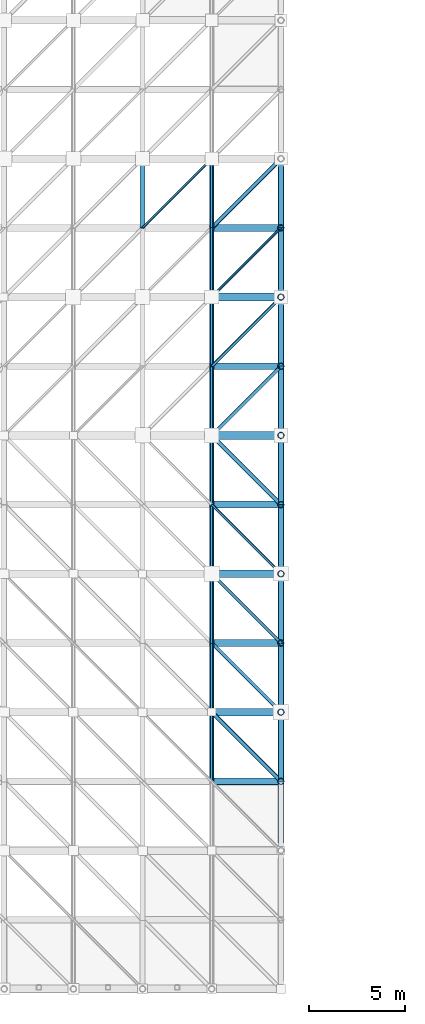
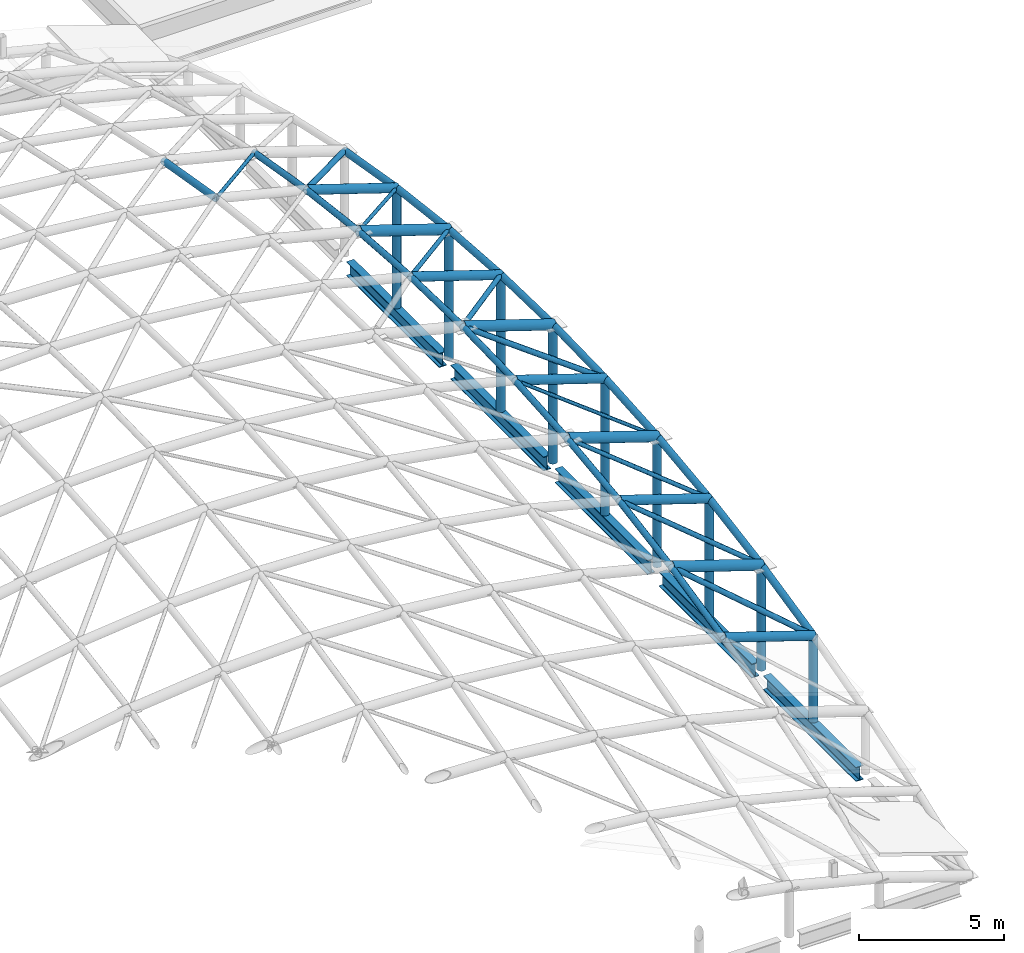
# One storey, part 8 of 40: 47 members, 5 beams.
"""IFC4 building model written with IfcOpenShell, lengths in metres."""

from ifc_helpers import new_model, si_unit, direction, frame, origin, origin_2d, place, context, subcontext, project, spatial, hollow_circle, i_section, extrude, material, material_profile, profile_set, type_object, element, save


model = new_model("IFC4")

# Units and contexts
model_context = context("Model", 3, precision=1e-05, world=origin(), true_north=direction((0.0, 1.0)))
body_context = subcontext(model_context, "Body", "Model", "MODEL_VIEW")
ifc_project = project(units=[si_unit("LENGTHUNIT", "METRE"), si_unit("AREAUNIT", "SQUARE_METRE"), si_unit("VOLUMEUNIT", "CUBIC_METRE"), si_unit("PLANEANGLEUNIT", "RADIAN"), si_unit("MASSUNIT", "GRAM", prefix="KILO")], contexts=[model_context])

# Site, building, storey
site_placement = place(None, origin())
site = spatial("IfcSite", under=ifc_project, at=site_placement, CompositionType="ELEMENT")
building_placement = place(site_placement, origin())
building = spatial("IfcBuilding", under=site, at=building_placement, Name="Kavelor Marine Aquarium", CompositionType="ELEMENT")
storey_placement = place(building_placement, frame((0.0, 0.0, 17.639892578125)))
storey = spatial("IfcBuildingStorey", under=building, at=storey_placement, Name="L04", CompositionType="ELEMENT", Elevation=17.639892578125)

# Beams
ifc_material_1 = material(Name="Steel S355", Category="steel")
ifc_material_profile_1 = material_profile(ifc_material_1, i_section(OverallWidth=0.300048828125, OverallDepth=0.60009765625, WebThickness=0.015380859375, FlangeThickness=0.030029296875, FilletRadius=0.027099609375, at=origin_2d()), Name="HEB 600")
ifc_profile_set_1 = profile_set([ifc_material_profile_1], Name="Steel S355")
beam_type = type_object("IfcBeamType", Name="BM-SB2", PredefinedType="BEAM", material=ifc_profile_set_1)
beam_placement = place(storey_placement, frame((39.199951171875, 32.0, -0.2998046875), z_axis=(0.0, 1.0, 0.0), x_axis=(-1.0, 0.0, 0.0)))
element("IfcBeam", 1, at=beam_placement, inside=storey, type_object=beam_type, Name="bm:y:L04:L04:05_04", PredefinedType="BEAM", context=body_context, shape_type="SweptSolid", body=[
    extrude(i_section(OverallWidth=0.300048828125, OverallDepth=0.60009765625, WebThickness=0.015380859375, FlangeThickness=0.030029296875, FilletRadius=0.027099609375, at=origin_2d()), origin(), (0.0, 0.0, 1.0), 6.39990234375),
])
for number, where, z_axis, x_axis, name in (
    (2, (39.199951171875, 39.199951171875, -0.2998046875), (0.0, 1.0, 0.0), (-1.0, 0.0, 0.0), "bm:y:L04:L04:05_05"),
    (3, (39.199951171875, 46.39990234375, -0.2998046875), (0.0, 1.0, 0.0), (-1.0, 0.0, 0.0), "bm:y:L04:L04:05_06"),
):
    element("IfcBeam", number, at=place(storey_placement, frame(where, z_axis=z_axis, x_axis=x_axis)), inside=storey, type_object=beam_type, Name=name, PredefinedType="BEAM", context=body_context, shape_type="SweptSolid", body=[
        extrude(i_section(OverallWidth=0.300048828125, OverallDepth=0.60009765625, WebThickness=0.015380859375, FlangeThickness=0.030029296875, FilletRadius=0.027099609375, at=origin_2d()), origin(), (0.0, 0.0, 1.0), 6.400146484375),
    ])
for number, where, z_axis, x_axis, name in (
    (4, (39.199951171875, 53.60009765625, -0.2998046875), (0.0, 1.0, 0.0), (-1.0, 0.0, 0.0), "bm:y:L04:L04:05_07"),
    (5, (39.199951171875, 60.800048828125, -0.2998046875), (0.0, 1.0, 0.0), (-1.0, 0.0, 0.0), "bm:y:L04:L04:05_08"),
):
    element("IfcBeam", number, at=place(storey_placement, frame(where, z_axis=z_axis, x_axis=x_axis)), inside=storey, type_object=beam_type, Name=name, PredefinedType="BEAM", context=body_context, shape_type="SweptSolid", body=[
        extrude(i_section(OverallWidth=0.300048828125, OverallDepth=0.60009765625, WebThickness=0.015380859375, FlangeThickness=0.030029296875, FilletRadius=0.027099609375, at=origin_2d()), origin(), (0.0, 0.0, 1.0), 6.39990234375),
    ])

# Members
ifc_material_2 = material(Name="Steel S355", Category="steel")
ifc_material_profile_2 = material_profile(ifc_material_2, hollow_circle(Radius=0.109619140625, WallThickness=0.0087890625, at=origin_2d()), Name="CHS 219.1x8.8")
ifc_profile_set_2 = profile_set([ifc_material_profile_2], Name="Steel S355")
member_type_1 = type_object("IfcMemberType", Name="GS-BR1", PredefinedType="BRACE", material=ifc_profile_set_2)
member_1_placement = place(storey_placement, frame((39.199951171875, 35.199951171875, 3.58056640625), z_axis=(-0.658893531475, 0.658938217371, 0.362849472742), x_axis=(-0.707130757816, -0.707082803744, 0.0)))
element("IfcMember", 6, at=member_1_placement, inside=storey, type_object=member_type_1, Name="gs:diag:09_03", PredefinedType="BRACE", context=body_context, shape_type="SweptSolid", body=[
    extrude(hollow_circle(Radius=0.109619140625, WallThickness=0.0087890625, at=origin_2d()), origin(), (0.0, 0.0, 1.0), 5.46337890625),
])
member_2_placement = place(storey_placement, frame((39.199951171875, 49.60009765625, 5.698486328125), z_axis=(-0.686142307175, 0.686142307175, 0.241697059577), x_axis=(-0.707106781187, -0.707106781187, 0.0)))
element("IfcMember", 7, at=member_2_placement, inside=storey, type_object=member_type_1, Name="gs:diag:09_07", PredefinedType="BRACE", context=body_context, shape_type="SweptSolid", body=[
    extrude(hollow_circle(Radius=0.109619140625, WallThickness=0.0087890625, at=origin_2d()), origin(), (0.0, 0.0, 1.0), 5.24658203125),
])
member_3_placement = place(storey_placement, frame((35.60009765625, 64.0, 6.180419921875), z_axis=(0.66670181387, 0.666747029321, -0.333102221959), x_axis=(-0.707130757816, 0.707082803744, 0.0)))
element("IfcMember", 8, at=member_3_placement, inside=storey, type_object=member_type_1, Name="gs:diag:09_11", PredefinedType="BRACE", context=body_context, shape_type="SweptSolid", body=[
    extrude(hollow_circle(Radius=0.109619140625, WallThickness=0.0087890625, at=origin_2d()), origin(), (0.0, 0.0, 1.0), 5.3994140625),
])
ifc_material_3 = material(Name="Steel S355", Category="steel")
ifc_material_profile_3 = material_profile(ifc_material_3, hollow_circle(Radius=0.096923828125, WallThickness=0.008056640625, at=origin_2d()), Name="CHS 193.7x8.0")
ifc_profile_set_3 = profile_set([ifc_material_profile_3], Name="Steel S355")
member_type_2 = type_object("IfcMemberType", Name="GS-BR2", PredefinedType="BRACE", material=ifc_profile_set_3)
member_4_placement = place(storey_placement, frame((39.199951171875, 38.800048828125, 4.3818359375), z_axis=(-0.666721913335, 0.666721913335, 0.333112264194), x_axis=(-0.707106781187, -0.707106781187, 0.0)))
element("IfcMember", 9, at=member_4_placement, inside=storey, type_object=member_type_2, Name="gs:diag:09_04", PredefinedType="BRACE", context=body_context, shape_type="SweptSolid", body=[
    extrude(hollow_circle(Radius=0.096923828125, WallThickness=0.008056640625, at=origin_2d()), origin(), (0.0, 0.0, 1.0), 5.3994140625),
])
member_5_placement = place(storey_placement, frame((35.60009765625, 53.199951171875, 6.966552734375), z_axis=(0.68612039973, 0.68616693214, -0.24168934257), x_axis=(-0.707130757816, 0.707082803744, 0.0)))
element("IfcMember", 10, at=member_5_placement, inside=storey, type_object=member_type_2, Name="gs:diag:09_08", PredefinedType="BRACE", context=body_context, shape_type="SweptSolid", body=[
    extrude(hollow_circle(Radius=0.096923828125, WallThickness=0.008056640625, at=origin_2d()), origin(), (0.0, 0.0, 1.0), 5.24658203125),
])
ifc_material_4 = material(Name="Steel S355", Category="steel")
ifc_material_profile_4 = material_profile(ifc_material_4, hollow_circle(Radius=0.084228515625, WallThickness=0.007080078125, at=origin_2d()), Name="CHS 168.3x7.1")
ifc_profile_set_4 = profile_set([ifc_material_profile_4], Name="Steel S355")
member_type_3 = type_object("IfcMemberType", Name="GS-BR3", PredefinedType="BRACE", material=ifc_profile_set_4)
member_6_placement = place(storey_placement, frame((39.199951171875, 42.39990234375, 4.999267578125), z_axis=(-0.673836040687, 0.673881739978, 0.303031996324), x_axis=(-0.707130757816, -0.707082803744, 0.0)))
element("IfcMember", 11, at=member_6_placement, inside=storey, type_object=member_type_3, Name="gs:diag:09_05", PredefinedType="BRACE", context=body_context, shape_type="SweptSolid", body=[
    extrude(hollow_circle(Radius=0.084228515625, WallThickness=0.007080078125, at=origin_2d()), origin(), (0.0, 0.0, 1.0), 5.34228515625),
])
member_7_placement = place(storey_placement, frame((35.60009765625, 56.800048828125, 6.879638671875), z_axis=(0.68031974942, 0.68031974942, -0.272635428913), x_axis=(-0.707106781187, 0.707106781187, 0.0)))
element("IfcMember", 12, at=member_7_placement, inside=storey, type_object=member_type_3, Name="gs:diag:09_09", PredefinedType="BRACE", context=body_context, shape_type="SweptSolid", body=[
    extrude(hollow_circle(Radius=0.084228515625, WallThickness=0.007080078125, at=origin_2d()), origin(), (0.0, 0.0, 1.0), 5.29150390625),
])
ifc_material_5 = material(Name="Steel S355", Category="steel")
ifc_material_profile_5 = material_profile(ifc_material_5, hollow_circle(Radius=0.06982421875, WallThickness=0.00634765625, at=origin_2d()), Name="CHS 139.7x6.3")
ifc_profile_set_5 = profile_set([ifc_material_profile_5], Name="Steel S355")
member_type_4 = type_object("IfcMemberType", Name="GS-BR4", PredefinedType="BRACE", material=ifc_profile_set_5)
member_8_placement = place(storey_placement, frame((32.0, 64.0, 7.080078125), z_axis=(0.677661700075, 0.677661700075, -0.285568276432), x_axis=(-0.707106781187, 0.707106781187, 0.0)))
element("IfcMember", 13, at=member_8_placement, inside=storey, type_object=member_type_4, Name="gs:diag:08_11", PredefinedType="BRACE", context=body_context, shape_type="SweptSolid", body=[
    extrude(hollow_circle(Radius=0.06982421875, WallThickness=0.00634765625, at=origin_2d()), origin(), (0.0, 0.0, 1.0), 5.3125),
])
member_9_placement = place(storey_placement, frame((39.199951171875, 46.0, 5.43701171875), z_axis=(-0.680298394953, 0.680344532518, 0.272626871195), x_axis=(-0.707130757816, -0.707082803744, 0.0)))
element("IfcMember", 14, at=member_9_placement, inside=storey, type_object=member_type_4, Name="gs:diag:09_06", PredefinedType="BRACE", context=body_context, shape_type="SweptSolid", body=[
    extrude(hollow_circle(Radius=0.06982421875, WallThickness=0.00634765625, at=origin_2d()), origin(), (0.0, 0.0, 1.0), 5.29150390625),
])
member_10_placement = place(storey_placement, frame((35.60009765625, 60.39990234375, 6.6181640625), z_axis=(0.673836040687, 0.673881739978, -0.303031996324), x_axis=(-0.707130757816, 0.707082803744, 0.0)))
element("IfcMember", 15, at=member_10_placement, inside=storey, type_object=member_type_4, Name="gs:diag:09_10", PredefinedType="BRACE", context=body_context, shape_type="SweptSolid", body=[
    extrude(hollow_circle(Radius=0.06982421875, WallThickness=0.00634765625, at=origin_2d()), origin(), (0.0, 0.0, 1.0), 5.34228515625),
])
ifc_material_6 = material(Name="Steel S355", Category="steel")
ifc_material_profile_6 = material_profile(ifc_material_6, hollow_circle(Radius=0.203125, WallThickness=0.01611328125, at=origin_2d()), Name="CHS 406.4x16.0")
ifc_profile_set_6 = profile_set([ifc_material_profile_6], Name="Steel S355")
member_type_5 = type_object("IfcMemberType", Name="GS-CH1", PredefinedType="CHORD", material=ifc_profile_set_6)
for number, where, z_axis, x_axis, name in (
    (16, (35.60009765625, 38.800048828125, 5.56298828125), (0.950161341447, 0.0, -0.311758600876), (0.0, 1.0, 0.0), "gs:arch:09_04"),
    (17, (35.60009765625, 46.0, 6.6181640625), (0.950161341447, 0.0, -0.311758600876), (0.0, 1.0, 0.0), "gs:arch:09_06"),
    (18, (35.60009765625, 53.199951171875, 6.966552734375), (0.950161341447, 0.0, -0.311758600876), (0.0, 1.0, 0.0), "gs:arch:09_08"),
    (19, (35.60009765625, 60.39990234375, 6.6181640625), (0.950161341447, 0.0, -0.311758600876), (0.0, 1.0, 0.0), "gs:arch:09_10"),
):
    element("IfcMember", number, at=place(storey_placement, frame(where, z_axis=z_axis, x_axis=x_axis)), inside=storey, type_object=member_type_5, Name=name, PredefinedType="CHORD", context=body_context, shape_type="SweptSolid", body=[
        extrude(hollow_circle(Radius=0.203125, WallThickness=0.01611328125, at=origin_2d()), origin(), (0.0, 0.0, 1.0), 3.78857421875),
    ])
ifc_material_7 = material(Name="Steel S355", Category="steel")
ifc_material_profile_7 = material_profile(ifc_material_7, hollow_circle(Radius=0.177734375, WallThickness=0.01416015625, at=origin_2d()), Name="CHS 355.6x14.2")
ifc_profile_set_7 = profile_set([ifc_material_profile_7], Name="Steel S355")
member_type_6 = type_object("IfcMemberType", Name="GS-CH2", PredefinedType="CHORD", material=ifc_profile_set_7)
for number, where, z_axis, x_axis, name in (
    (20, (35.60009765625, 35.199951171875, 4.76171875), (0.950161341447, 0.0, -0.311758600876), (0.0, 1.0, 0.0), "gs:arch:09_03"),
    (21, (35.60009765625, 42.39990234375, 6.180419921875), (0.950161341447, 0.0, -0.311758600876), (0.0, 1.0, 0.0), "gs:arch:09_05"),
    (22, (35.60009765625, 49.60009765625, 6.879638671875), (0.950161341447, 0.0, -0.311758600876), (0.0, 1.0, 0.0), "gs:arch:09_07"),
    (23, (35.60009765625, 56.800048828125, 6.879638671875), (0.950161341447, 0.0, -0.311758600876), (0.0, 1.0, 0.0), "gs:arch:09_09"),
    (24, (35.60009765625, 64.0, 6.180419921875), (0.950161341447, 0.0, -0.311758600876), (0.0, 1.0, 0.0), "gs:arch:09_11"),
):
    element("IfcMember", number, at=place(storey_placement, frame(where, z_axis=z_axis, x_axis=x_axis)), inside=storey, type_object=member_type_6, Name=name, PredefinedType="CHORD", context=body_context, shape_type="SweptSolid", body=[
        extrude(hollow_circle(Radius=0.177734375, WallThickness=0.01416015625, at=origin_2d()), origin(), (0.0, 0.0, 1.0), 3.78857421875),
    ])
ifc_material_8 = material(Name="Steel S355", Category="steel")
ifc_material_profile_8 = material_profile(ifc_material_8, hollow_circle(Radius=0.161865234375, WallThickness=0.012451171875, at=origin_2d()), Name="CHS 323.9x12.5")
ifc_profile_set_8 = profile_set([ifc_material_profile_8], Name="Steel S355")
member_type_7 = type_object("IfcMemberType", Name="GS-CH3", PredefinedType="CHORD", material=ifc_profile_set_8)
member_11_placement = place(storey_placement, frame((39.199951171875, 35.199951171875, 0.0), z_axis=(0.0, 0.0, 1.0), x_axis=(1.0, 0.0, 0.0)))
element("IfcMember", 25, at=member_11_placement, inside=storey, type_object=member_type_7, Name="gs:post:x:10_03", PredefinedType="CHORD", context=body_context, shape_type="SweptSolid", body=[
    extrude(hollow_circle(Radius=0.161865234375, WallThickness=0.012451171875, at=origin_2d()), origin(), (0.0, 0.0, 1.0), 3.58056640625),
])
member_12_placement = place(storey_placement, frame((39.199951171875, 38.800048828125, 0.0), z_axis=(0.0, 0.0, 1.0), x_axis=(1.0, 0.0, 0.0)))
element("IfcMember", 26, at=member_12_placement, inside=storey, type_object=member_type_7, Name="gs:post:x:10_04", PredefinedType="CHORD", context=body_context, shape_type="SweptSolid", body=[
    extrude(hollow_circle(Radius=0.161865234375, WallThickness=0.012451171875, at=origin_2d()), origin(), (0.0, 0.0, 1.0), 4.3818359375),
])
member_13_placement = place(storey_placement, frame((39.199951171875, 42.39990234375, 0.0), z_axis=(0.0, 0.0, 1.0), x_axis=(1.0, 0.0, 0.0)))
element("IfcMember", 27, at=member_13_placement, inside=storey, type_object=member_type_7, Name="gs:post:x:10_05", PredefinedType="CHORD", context=body_context, shape_type="SweptSolid", body=[
    extrude(hollow_circle(Radius=0.161865234375, WallThickness=0.012451171875, at=origin_2d()), origin(), (0.0, 0.0, 1.0), 4.999267578125),
])
member_14_placement = place(storey_placement, frame((39.199951171875, 46.0, 0.0), z_axis=(0.0, 0.0, 1.0), x_axis=(1.0, 0.0, 0.0)))
element("IfcMember", 28, at=member_14_placement, inside=storey, type_object=member_type_7, Name="gs:post:x:10_06", PredefinedType="CHORD", context=body_context, shape_type="SweptSolid", body=[
    extrude(hollow_circle(Radius=0.161865234375, WallThickness=0.012451171875, at=origin_2d()), origin(), (0.0, 0.0, 1.0), 5.43701171875),
])
member_15_placement = place(storey_placement, frame((39.199951171875, 49.60009765625, 0.0), z_axis=(0.0, 0.0, 1.0), x_axis=(1.0, 0.0, 0.0)))
element("IfcMember", 29, at=member_15_placement, inside=storey, type_object=member_type_7, Name="gs:post:x:10_07", PredefinedType="CHORD", context=body_context, shape_type="SweptSolid", body=[
    extrude(hollow_circle(Radius=0.161865234375, WallThickness=0.012451171875, at=origin_2d()), origin(), (0.0, 0.0, 1.0), 5.698486328125),
])
member_16_placement = place(storey_placement, frame((39.199951171875, 53.199951171875, 0.0), z_axis=(0.0, 0.0, 1.0), x_axis=(1.0, 0.0, 0.0)))
element("IfcMember", 30, at=member_16_placement, inside=storey, type_object=member_type_7, Name="gs:post:x:10_08", PredefinedType="CHORD", context=body_context, shape_type="SweptSolid", body=[
    extrude(hollow_circle(Radius=0.161865234375, WallThickness=0.012451171875, at=origin_2d()), origin(), (0.0, 0.0, 1.0), 5.785400390625),
])
member_17_placement = place(storey_placement, frame((39.199951171875, 56.800048828125, 0.0), z_axis=(0.0, 0.0, 1.0), x_axis=(1.0, 0.0, 0.0)))
element("IfcMember", 31, at=member_17_placement, inside=storey, type_object=member_type_7, Name="gs:post:x:10_09", PredefinedType="CHORD", context=body_context, shape_type="SweptSolid", body=[
    extrude(hollow_circle(Radius=0.161865234375, WallThickness=0.012451171875, at=origin_2d()), origin(), (0.0, 0.0, 1.0), 5.698486328125),
])
member_18_placement = place(storey_placement, frame((39.199951171875, 60.39990234375, 0.0), z_axis=(0.0, 0.0, 1.0), x_axis=(1.0, 0.0, 0.0)))
element("IfcMember", 32, at=member_18_placement, inside=storey, type_object=member_type_7, Name="gs:post:x:10_10", PredefinedType="CHORD", context=body_context, shape_type="SweptSolid", body=[
    extrude(hollow_circle(Radius=0.161865234375, WallThickness=0.012451171875, at=origin_2d()), origin(), (0.0, 0.0, 1.0), 5.43701171875),
])
member_19_placement = place(storey_placement, frame((39.199951171875, 64.0, 0.0), z_axis=(0.0, 0.0, 1.0), x_axis=(1.0, 0.0, 0.0)))
element("IfcMember", 33, at=member_19_placement, inside=storey, type_object=member_type_7, Name="gs:post:x:10_11", PredefinedType="CHORD", context=body_context, shape_type="SweptSolid", body=[
    extrude(hollow_circle(Radius=0.161865234375, WallThickness=0.012451171875, at=origin_2d()), origin(), (0.0, 0.0, 1.0), 4.999267578125),
])
ifc_material_9 = material(Name="Steel S355", Category="steel")
ifc_material_profile_9 = material_profile(ifc_material_9, hollow_circle(Radius=0.136474609375, WallThickness=0.010009765625, at=origin_2d()), Name="CHS 273.0x10.0")
ifc_profile_set_9 = profile_set([ifc_material_profile_9], Name="Steel S355")
member_type_8 = type_object("IfcMemberType", Name="GS-CH4", PredefinedType="CHORD", material=ifc_profile_set_9)
member_20_placement = place(storey_placement, frame((32.0, 64.0, 7.080078125), z_axis=(0.0, 0.985620982654, -0.168971235871), x_axis=(-1.0, 0.0, 0.0)))
element("IfcMember", 34, at=member_20_placement, inside=storey, type_object=member_type_8, Name="gs:long:08_11", PredefinedType="CHORD", context=body_context, shape_type="SweptSolid", body=[
    extrude(hollow_circle(Radius=0.136474609375, WallThickness=0.010009765625, at=origin_2d()), origin(), (0.0, 0.0, 1.0), 3.652587890625),
])
member_21_placement = place(storey_placement, frame((39.199951171875, 35.199951171875, 3.58056640625), z_axis=(0.0, 0.976115360304, 0.21725285586), x_axis=(-1.0, 0.0, 0.0)))
element("IfcMember", 35, at=member_21_placement, inside=storey, type_object=member_type_8, Name="gs:long:10_03", PredefinedType="CHORD", context=body_context, shape_type="SweptSolid", body=[
    extrude(hollow_circle(Radius=0.136474609375, WallThickness=0.010009765625, at=origin_2d()), origin(), (0.0, 0.0, 1.0), 3.688232421875),
])
member_22_placement = place(storey_placement, frame((39.199951171875, 38.800048828125, 4.3818359375), z_axis=(0.0, 0.985607939021, 0.169047302664), x_axis=(-1.0, 0.0, 0.0)))
element("IfcMember", 36, at=member_22_placement, inside=storey, type_object=member_type_8, Name="gs:long:10_04", PredefinedType="CHORD", context=body_context, shape_type="SweptSolid", body=[
    extrude(hollow_circle(Radius=0.136474609375, WallThickness=0.010009765625, at=origin_2d()), origin(), (0.0, 0.0, 1.0), 3.65234375),
])
member_23_placement = place(storey_placement, frame((39.199951171875, 42.39990234375, 4.999267578125), z_axis=(0.0, 0.992688629833, 0.120703289929), x_axis=(-1.0, 0.0, 0.0)))
element("IfcMember", 37, at=member_23_placement, inside=storey, type_object=member_type_8, Name="gs:long:10_05", PredefinedType="CHORD", context=body_context, shape_type="SweptSolid", body=[
    extrude(hollow_circle(Radius=0.136474609375, WallThickness=0.010009765625, at=origin_2d()), origin(), (0.0, 0.0, 1.0), 3.626708984375),
])
member_24_placement = place(storey_placement, frame((39.199951171875, 46.0, 5.43701171875), z_axis=(0.0, 0.997372840636, 0.072439055494), x_axis=(-1.0, 0.0, 0.0)))
element("IfcMember", 38, at=member_24_placement, inside=storey, type_object=member_type_8, Name="gs:long:10_06", PredefinedType="CHORD", context=body_context, shape_type="SweptSolid", body=[
    extrude(hollow_circle(Radius=0.136474609375, WallThickness=0.010009765625, at=origin_2d()), origin(), (0.0, 0.0, 1.0), 3.609619140625),
])
member_25_placement = place(storey_placement, frame((39.199951171875, 49.60009765625, 5.698486328125), z_axis=(0.0, 0.999708666365, 0.024136743657), x_axis=(-1.0, 0.0, 0.0)))
element("IfcMember", 39, at=member_25_placement, inside=storey, type_object=member_type_8, Name="gs:long:10_07", PredefinedType="CHORD", context=body_context, shape_type="SweptSolid", body=[
    extrude(hollow_circle(Radius=0.136474609375, WallThickness=0.010009765625, at=origin_2d()), origin(), (0.0, 0.0, 1.0), 3.600830078125),
])
member_26_placement = place(storey_placement, frame((39.199951171875, 53.199951171875, 5.785400390625), z_axis=(0.0, 0.99970870586, -0.024135107777), x_axis=(-1.0, 0.0, 0.0)))
element("IfcMember", 40, at=member_26_placement, inside=storey, type_object=member_type_8, Name="gs:long:10_08", PredefinedType="CHORD", context=body_context, shape_type="SweptSolid", body=[
    extrude(hollow_circle(Radius=0.136474609375, WallThickness=0.010009765625, at=origin_2d()), origin(), (0.0, 0.0, 1.0), 3.60107421875),
])
member_27_placement = place(storey_placement, frame((39.199951171875, 56.800048828125, 5.698486328125), z_axis=(0.0, 0.997372485682, -0.0724439425), x_axis=(-1.0, 0.0, 0.0)))
element("IfcMember", 41, at=member_27_placement, inside=storey, type_object=member_type_8, Name="gs:long:10_09", PredefinedType="CHORD", context=body_context, shape_type="SweptSolid", body=[
    extrude(hollow_circle(Radius=0.136474609375, WallThickness=0.010009765625, at=origin_2d()), origin(), (0.0, 0.0, 1.0), 3.609375),
])
member_28_placement = place(storey_placement, frame((39.199951171875, 60.39990234375, 5.43701171875), z_axis=(0.0, 0.992688629833, -0.120703289929), x_axis=(-1.0, 0.0, 0.0)))
element("IfcMember", 42, at=member_28_placement, inside=storey, type_object=member_type_8, Name="gs:long:10_10", PredefinedType="CHORD", context=body_context, shape_type="SweptSolid", body=[
    extrude(hollow_circle(Radius=0.136474609375, WallThickness=0.010009765625, at=origin_2d()), origin(), (0.0, 0.0, 1.0), 3.626708984375),
])
member_29_placement = place(storey_placement, frame((39.199951171875, 64.0, 4.999267578125), z_axis=(0.0, 0.98560984902, -0.169036166294), x_axis=(-1.0, 0.0, 0.0)))
element("IfcMember", 43, at=member_29_placement, inside=storey, type_object=member_type_8, Name="gs:long:10_11", PredefinedType="CHORD", context=body_context, shape_type="SweptSolid", body=[
    extrude(hollow_circle(Radius=0.136474609375, WallThickness=0.010009765625, at=origin_2d()), origin(), (0.0, 0.0, 1.0), 3.652587890625),
])
ifc_material_10 = material(Name="Steel S355", Category="steel")
ifc_material_profile_10 = material_profile(ifc_material_10, hollow_circle(Radius=0.122314453125, WallThickness=0.010009765625, at=origin_2d()), Name="CHS 244.5x10.0")
ifc_profile_set_10 = profile_set([ifc_material_profile_10], Name="Steel S355")
member_type_9 = type_object("IfcMemberType", Name="GS-CH5", PredefinedType="CHORD", material=ifc_profile_set_10)
member_30_placement = place(storey_placement, frame((35.60009765625, 35.199951171875, 4.76171875), z_axis=(0.0, 0.976115360304, 0.21725285586), x_axis=(-1.0, 0.0, 0.0)))
element("IfcMember", 44, at=member_30_placement, inside=storey, type_object=member_type_9, Name="gs:long:09_03", PredefinedType="CHORD", context=body_context, shape_type="SweptSolid", body=[
    extrude(hollow_circle(Radius=0.122314453125, WallThickness=0.010009765625, at=origin_2d()), origin(), (0.0, 0.0, 1.0), 3.688232421875),
])
member_31_placement = place(storey_placement, frame((35.60009765625, 38.800048828125, 5.56298828125), z_axis=(0.0, 0.985607939021, 0.169047302664), x_axis=(-1.0, 0.0, 0.0)))
element("IfcMember", 45, at=member_31_placement, inside=storey, type_object=member_type_9, Name="gs:long:09_04", PredefinedType="CHORD", context=body_context, shape_type="SweptSolid", body=[
    extrude(hollow_circle(Radius=0.122314453125, WallThickness=0.010009765625, at=origin_2d()), origin(), (0.0, 0.0, 1.0), 3.65234375),
])
member_32_placement = place(storey_placement, frame((35.60009765625, 42.39990234375, 6.180419921875), z_axis=(0.0, 0.992688629833, 0.120703289929), x_axis=(-1.0, 0.0, 0.0)))
element("IfcMember", 46, at=member_32_placement, inside=storey, type_object=member_type_9, Name="gs:long:09_05", PredefinedType="CHORD", context=body_context, shape_type="SweptSolid", body=[
    extrude(hollow_circle(Radius=0.122314453125, WallThickness=0.010009765625, at=origin_2d()), origin(), (0.0, 0.0, 1.0), 3.626708984375),
])
member_33_placement = place(storey_placement, frame((35.60009765625, 46.0, 6.6181640625), z_axis=(0.0, 0.997372840636, 0.072439055494), x_axis=(-1.0, 0.0, 0.0)))
element("IfcMember", 47, at=member_33_placement, inside=storey, type_object=member_type_9, Name="gs:long:09_06", PredefinedType="CHORD", context=body_context, shape_type="SweptSolid", body=[
    extrude(hollow_circle(Radius=0.122314453125, WallThickness=0.010009765625, at=origin_2d()), origin(), (0.0, 0.0, 1.0), 3.609619140625),
])
member_34_placement = place(storey_placement, frame((35.60009765625, 49.60009765625, 6.879638671875), z_axis=(0.0, 0.999708666365, 0.024136743657), x_axis=(-1.0, 0.0, 0.0)))
element("IfcMember", 48, at=member_34_placement, inside=storey, type_object=member_type_9, Name="gs:long:09_07", PredefinedType="CHORD", context=body_context, shape_type="SweptSolid", body=[
    extrude(hollow_circle(Radius=0.122314453125, WallThickness=0.010009765625, at=origin_2d()), origin(), (0.0, 0.0, 1.0), 3.600830078125),
])
member_35_placement = place(storey_placement, frame((35.60009765625, 53.199951171875, 6.966552734375), z_axis=(0.0, 0.99970870586, -0.024135107777), x_axis=(-1.0, 0.0, 0.0)))
element("IfcMember", 49, at=member_35_placement, inside=storey, type_object=member_type_9, Name="gs:long:09_08", PredefinedType="CHORD", context=body_context, shape_type="SweptSolid", body=[
    extrude(hollow_circle(Radius=0.122314453125, WallThickness=0.010009765625, at=origin_2d()), origin(), (0.0, 0.0, 1.0), 3.60107421875),
])
member_36_placement = place(storey_placement, frame((35.60009765625, 56.800048828125, 6.879638671875), z_axis=(0.0, 0.997372485682, -0.0724439425), x_axis=(-1.0, 0.0, 0.0)))
element("IfcMember", 50, at=member_36_placement, inside=storey, type_object=member_type_9, Name="gs:long:09_09", PredefinedType="CHORD", context=body_context, shape_type="SweptSolid", body=[
    extrude(hollow_circle(Radius=0.122314453125, WallThickness=0.010009765625, at=origin_2d()), origin(), (0.0, 0.0, 1.0), 3.609375),
])
member_37_placement = place(storey_placement, frame((35.60009765625, 60.39990234375, 6.6181640625), z_axis=(0.0, 0.992688629833, -0.120703289929), x_axis=(-1.0, 0.0, 0.0)))
element("IfcMember", 51, at=member_37_placement, inside=storey, type_object=member_type_9, Name="gs:long:09_10", PredefinedType="CHORD", context=body_context, shape_type="SweptSolid", body=[
    extrude(hollow_circle(Radius=0.122314453125, WallThickness=0.010009765625, at=origin_2d()), origin(), (0.0, 0.0, 1.0), 3.626708984375),
])
member_38_placement = place(storey_placement, frame((35.60009765625, 64.0, 6.180419921875), z_axis=(0.0, 0.98560984902, -0.169036166294), x_axis=(-1.0, 0.0, 0.0)))
element("IfcMember", 52, at=member_38_placement, inside=storey, type_object=member_type_9, Name="gs:long:09_11", PredefinedType="CHORD", context=body_context, shape_type="SweptSolid", body=[
    extrude(hollow_circle(Radius=0.122314453125, WallThickness=0.010009765625, at=origin_2d()), origin(), (0.0, 0.0, 1.0), 3.652587890625),
])

save(model, "model.ifc")
